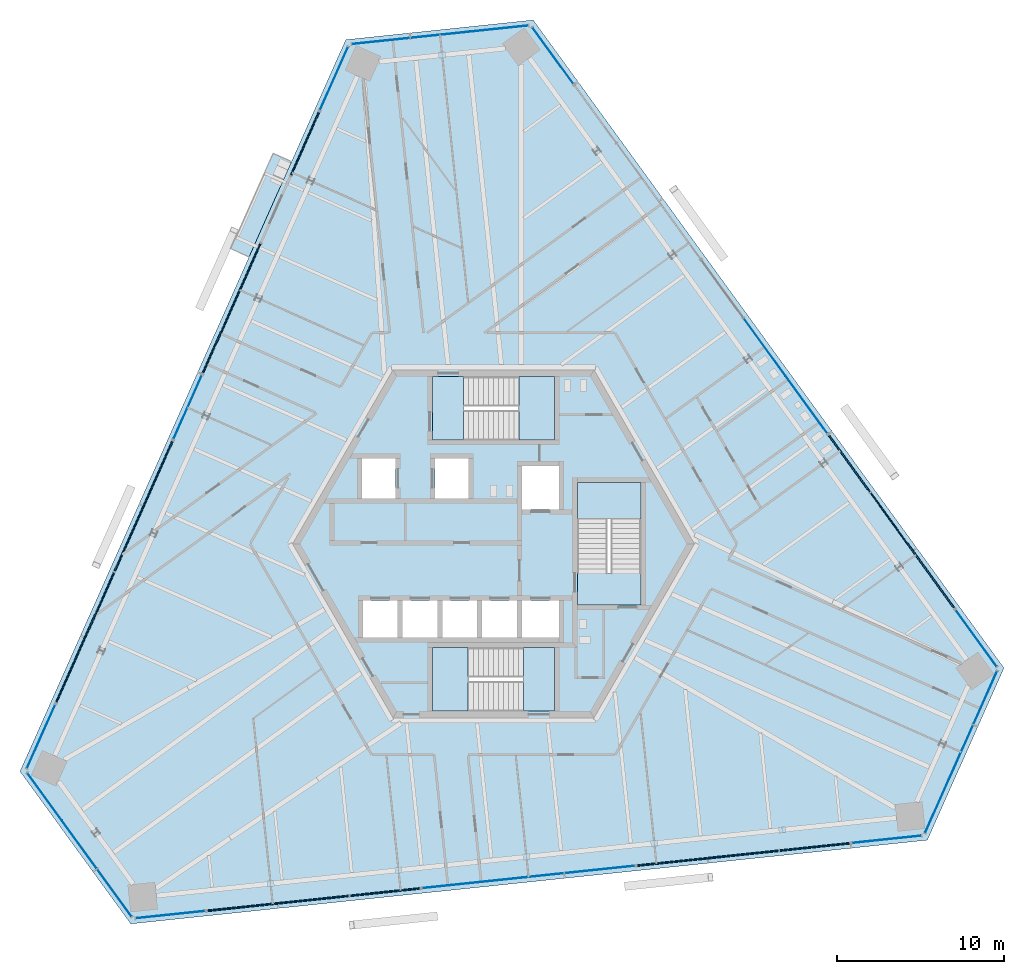
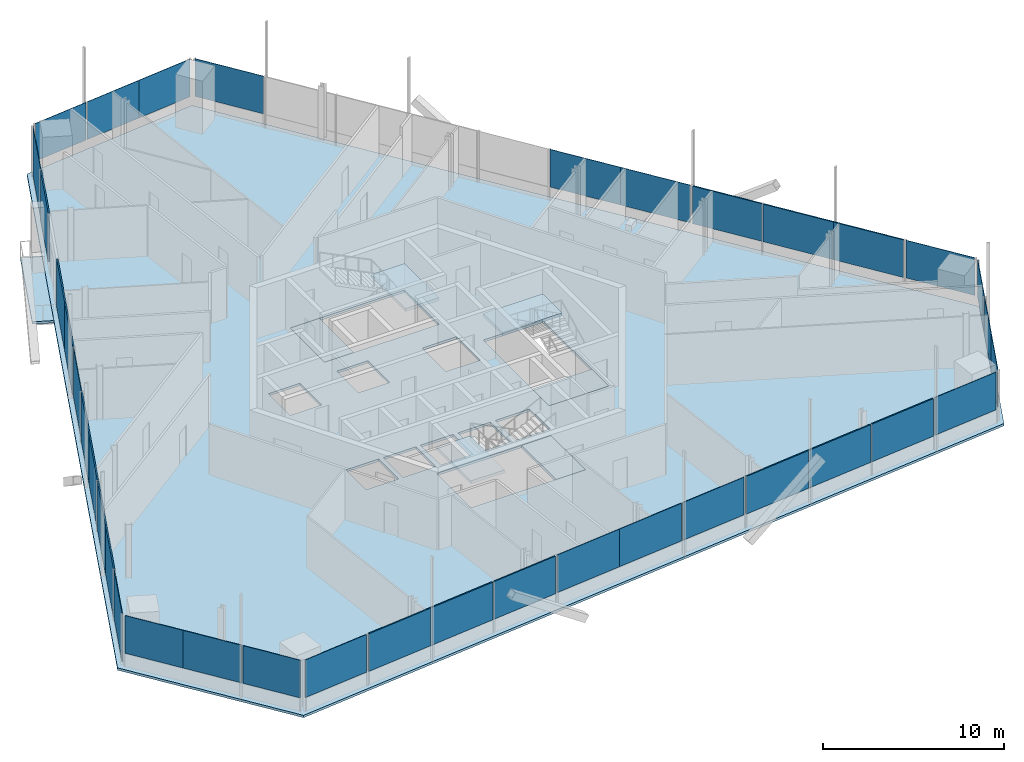
# One storey, part 10 of 21: 37 plates, 8 slabs, 21 elements without a shape of their own.
"""IFC4 building model written with IfcOpenShell, lengths in metres."""

from ifc_helpers import new_model, si_unit, direction, frame, origin, origin_2d, place, context, subcontext, project, spatial, polyline, rectangle, outline, extrude, source, transform, mapped, material, layer, layer_set, type_object, element, aggregate, save


model = new_model("IFC4")

# Units and contexts
model_context = context("Model", 3, precision=1e-05, world=origin(), true_north=direction((0.0, 1.0)))
body_context = subcontext(model_context, "Body", "Model", "MODEL_VIEW")
ifc_project = project(units=[si_unit("LENGTHUNIT", "METRE"), si_unit("AREAUNIT", "SQUARE_METRE"), si_unit("VOLUMEUNIT", "CUBIC_METRE"), si_unit("PLANEANGLEUNIT", "RADIAN"), si_unit("MASSUNIT", "GRAM", prefix="KILO")], contexts=[model_context])

# Site, building, storey
site_placement = place(None, origin())
site = spatial("IfcSite", under=ifc_project, at=site_placement, CompositionType="ELEMENT")
building_placement = place(site_placement, origin())
building = spatial("IfcBuilding", under=site, at=building_placement, Name="Triune Harvest Tower", CompositionType="ELEMENT")
storey_placement = place(building_placement, frame((0.0, 0.0, 241.300048828125)))
storey = spatial("IfcBuildingStorey", under=building, at=storey_placement, Name="L63", CompositionType="ELEMENT", Elevation=241.300048828125)

# Slab
ifc_material_1 = material(Name="Concrete 40 MPa", Category="concrete")
ifc_layer_1 = layer(ifc_material_1, 0.159912109375)
ifc_layer_set_1 = layer_set([ifc_layer_1], Name="Concrete 40 MPa")
slab_type_1 = type_object("IfcSlabType", Name="BA-1 balcony slab 160", PredefinedType="FLOOR", material=ifc_layer_set_1)
slab_1_placement = place(storey_placement, frame((0.0, 0.0, -0.16015625)))
element("IfcSlab", 1, at=slab_1_placement, inside=storey, type_object=slab_type_1, Name="Balcony slab B6-F3 L63.3", PredefinedType="FLOOR", context=body_context, shape_type="SweptSolid", body=[
    extrude(outline(polyline([(-12.06103515625, 22.828369140625), (-14.593994140625, 17.1396484375), (-15.69287109375, 17.62890625), (-13.159912109375, 23.317626953125), (-12.06103515625, 22.828369140625)])), origin(), (0.0, 0.0, 1.0), 0.16015625),
])

# Curtain wall, plate
ifc_material_2 = material(Name="Aluminium bronze anodised", Category="aluminium")
curtain_wall_type_1 = type_object("IfcCurtainWallType", Name="CW-6 Balcony window wall", PredefinedType="NOTDEFINED", material=ifc_material_2)
curtain_wall_1_placement = place(storey_placement, origin())
curtain_wall_1 = element("IfcCurtainWall", 2, at=curtain_wall_1_placement, inside=storey, type_object=curtain_wall_type_1, Name="CW-6 B6-F3 L63 run 1")
ifc_material_3 = material(Name="Glass", Category="glass")
ifc_layer_2 = layer(ifc_material_3, 0.030029296875)
ifc_layer_set_2 = layer_set([ifc_layer_2], Name="Glass")
plate_type_1 = type_object("IfcPlateType", Name="GL-6 panel 30", PredefinedType="CURTAIN_PANEL", material=ifc_layer_set_2)
plate_1_placement = place(storey_placement, frame((-9.5234375, 27.79052734375, 0.14990234375), z_axis=(0.0, 0.0, 1.0), x_axis=(-0.40673179987, -0.913547613961, 0.0)))
plate_1 = element("IfcPlate", 3, at=plate_1_placement, type_object=plate_type_1, Name="CW-6 panel B6-F3 1.1", PredefinedType="CURTAIN_PANEL", context=body_context, shape_type="SweptSolid", body=[
    extrude(rectangle(XDim=4.121337890625, YDim=0.030029296875, at=origin_2d()), origin(), (0.0, 0.0, 1.0), 3.2900390625),
])
aggregate(curtain_wall_1, [plate_1])

curtain_wall_2_placement = place(storey_placement, origin())
curtain_wall_2 = element("IfcCurtainWall", 4, at=curtain_wall_2_placement, inside=storey, type_object=curtain_wall_type_1, Name="CW-6 B6-F3 L63 run 1002")
plate_2_placement = place(storey_placement, frame((-18.2626953125, 8.161865234375, 0.14990234375), z_axis=(0.0, 0.0, 1.0), x_axis=(-0.406748294364, -0.913540270066, 0.0)))
plate_2 = element("IfcPlate", 5, at=plate_2_placement, type_object=plate_type_1, Name="CW-6 panel B6-F3 1002.1", PredefinedType="CURTAIN_PANEL", context=body_context, shape_type="SweptSolid", body=[
    extrude(rectangle(XDim=4.155029296875, YDim=0.030029296875, at=origin_2d()), origin(), (0.0, 0.0, 1.0), 3.2900390625),
])
aggregate(curtain_wall_2, [plate_2])

curtain_wall_3_placement = place(storey_placement, origin())
curtain_wall_3 = element("IfcCurtainWall", 6, at=curtain_wall_3_placement, inside=storey, type_object=curtain_wall_type_1, Name="CW-6 B6-F3 L63 run 3002")
plate_3_placement = place(storey_placement, frame((-27.01806640625, -11.502685546875, 0.14990234375), z_axis=(0.0, 0.0, 1.0), x_axis=(-0.406740063748, -0.913543934654, 0.0)))
plate_3 = element("IfcPlate", 7, at=plate_3_placement, type_object=plate_type_1, Name="CW-6 panel B6-F3 3002.1", PredefinedType="CURTAIN_PANEL", context=body_context, shape_type="SweptSolid", body=[
    extrude(rectangle(XDim=4.1552734375, YDim=0.030029296875, at=origin_2d()), origin(), (0.0, 0.0, 1.0), 3.2900390625),
])
aggregate(curtain_wall_3, [plate_3])

ifc_material_4 = material(Name="Aluminium bronze anodised", Category="aluminium")
curtain_wall_type_2 = type_object("IfcCurtainWallType", Name="CW-10 Balcony window wall with insulated spandrel infill", PredefinedType="NOTDEFINED", material=ifc_material_4)
curtain_wall_4_placement = place(storey_placement, origin())
curtain_wall_4 = element("IfcCurtainWall", 8, at=curtain_wall_4_placement, inside=storey, type_object=curtain_wall_type_2, Name="CW-10 B6-F3 L63 run 1001")
ifc_material_5 = material(Name="Insulated spandrel panel, bronze aluminium pan", Category="aluminium")
ifc_layer_3 = layer(ifc_material_5, 0.080078125)
ifc_layer_set_3 = layer_set([ifc_layer_3], Name="Insulated spandrel panel, bronze aluminium pan")
plate_type_2 = type_object("IfcPlateType", Name="SP-1 insulated spandrel panel 80", PredefinedType="CURTAIN_PANEL", material=ifc_layer_set_3)
plate_4_placement = place(storey_placement, frame((-11.2607421875, 23.888427734375, 0.14990234375), z_axis=(0.0, 0.0, 1.0), x_axis=(-0.406744024511, -0.91354217118, 0.0)))
plate_4 = element("IfcPlate", 9, at=plate_4_placement, type_object=plate_type_2, Name="CW-10 panel B6-F3 1001.1", PredefinedType="CURTAIN_PANEL", context=body_context, shape_type="SweptSolid", body=[
    extrude(rectangle(XDim=4.121337890625, YDim=0.080078125, at=origin_2d()), origin(), (0.0, 0.0, 1.0), 3.2900390625),
])
aggregate(curtain_wall_4, [plate_4])

# Slab
ifc_material_6 = material(Name="Concrete 40 MPa", Category="concrete")
ifc_layer_4 = layer(ifc_material_6, 0.159912109375)
ifc_layer_set_4 = layer_set([ifc_layer_4], Name="Concrete 40 MPa")
slab_type_2 = type_object("IfcSlabType", Name="SL-1 Composite floor slab 160", PredefinedType="FLOOR", material=ifc_layer_set_4)
shared_shape_1 = source(origin(), body_context, "Body", "SweptSolid", [
    extrude(outline(polyline([(30.481689453125, -7.412109375), (2.3701171875, 31.280517578125), (-8.82177734375, 30.10400390625), (-28.274658203125, -13.587646484375), (-21.659912109375, -22.69189453125), (25.904541015625, -17.692626953125), (30.481689453125, -7.412109375)]), holes=[polyline([(-5.72509765625, -5.590087890625), (-5.72509765625, -3.389892578125), (-7.800048828125, -3.389892578125), (-7.800048828125, -5.590087890625), (-5.72509765625, -5.590087890625)]), polyline([(-3.35009765625, -5.590087890625), (-3.35009765625, -3.389892578125), (-5.425048828125, -3.389892578125), (-5.425048828125, -5.590087890625), (-3.35009765625, -5.590087890625)]), polyline([(-0.97509765625, -5.590087890625), (-0.97509765625, -3.389892578125), (-3.050048828125, -3.389892578125), (-3.050048828125, -5.590087890625), (-0.97509765625, -5.590087890625)]), polyline([(1.39990234375, -5.590087890625), (1.39990234375, -3.389892578125), (-0.675048828125, -3.389892578125), (-0.675048828125, -5.590087890625), (1.39990234375, -5.590087890625)]), polyline([(3.89990234375, 2.06005859375), (3.89990234375, 4.659912109375), (1.699951171875, 4.659912109375), (1.699951171875, 2.06005859375), (3.89990234375, 2.06005859375)]), polyline([(3.89990234375, -5.590087890625), (3.89990234375, -3.389892578125), (1.699951171875, -3.389892578125), (1.699951171875, -5.590087890625), (3.89990234375, -5.590087890625)]), polyline([(-5.85009765625, 2.7099609375), (-5.85009765625, 5.110107421875), (-7.85009765625, 5.110107421875), (-7.85009765625, 2.7099609375), (-5.85009765625, 2.7099609375)]), polyline([(-1.5, 2.7099609375), (-1.5, 5.110107421875), (-3.5, 5.110107421875), (-3.5, 2.7099609375), (-1.5, 2.7099609375)]), polyline([(3.64990234375, 6.18994140625), (3.64990234375, 9.989990234375), (-3.64990234375, 9.989990234375), (-3.64990234375, 6.18994140625), (3.64990234375, 6.18994140625)]), polyline([(3.64990234375, -9.989990234375), (3.64990234375, -6.18994140625), (-3.64990234375, -6.18994140625), (-3.64990234375, -9.989990234375), (3.64990234375, -9.989990234375)]), polyline([(8.800048828125, -3.64990234375), (8.800048828125, 3.64990234375), (5.0, 3.64990234375), (5.0, -3.64990234375), (8.800048828125, -3.64990234375)])]), origin(), (0.0, 0.0, 1.0), 0.16015625),
])
slab_2_placement = place(storey_placement, frame((0.0, 0.0, -0.16015625)))
element("IfcSlab", 10, at=slab_2_placement, inside=storey, type_object=slab_type_2, Name="slab/L63/1", PredefinedType="FLOOR", context=body_context, shape_type="MappedRepresentation", body=[
    mapped(shared_shape_1, transform((0.0, 0.0, 0.0), scale=1.0)),
])

# Stair, slabs
ifc_material_7 = material(Name="Concrete 40 MPa", Category="concrete")
stair_type = type_object("IfcStairType", Name="Exit stair 1800 half turn", PredefinedType="HALF_TURN_STAIR", material=ifc_material_7)
stair_1_placement = place(storey_placement, origin())
stair_1 = element("IfcStair", 11, at=stair_1_placement, inside=storey, type_object=stair_type, Name="Exit stair north", PredefinedType="HALF_TURN_STAIR")
ifc_material_8 = material(Name="Concrete 40 MPa", Category="concrete")
ifc_layer_5 = layer(ifc_material_8, 0.199951171875)
ifc_layer_set_5 = layer_set([ifc_layer_5], Name="Concrete 40 MPa")
slab_type_3 = type_object("IfcSlabType", Name="Stair landing 200", PredefinedType="LANDING", material=ifc_layer_set_5)
shared_shape_2 = source(origin(), body_context, "Body", "SweptSolid", [
    extrude(outline(polyline([(-3.64990234375, 6.18994140625), (-1.780029296875, 6.18994140625), (-1.780029296875, 9.989990234375), (-3.64990234375, 9.989990234375), (-3.64990234375, 6.18994140625)])), origin(), (0.0, 0.0, 1.0), 0.199951171875),
])
slab_3_placement = place(storey_placement, frame((0.0, 0.0, -0.199951171875)))
slab_3 = element("IfcSlab", 12, at=slab_3_placement, type_object=slab_type_3, Name="ST-1 landing 1", PredefinedType="LANDING", context=body_context, shape_type="MappedRepresentation", body=[
    mapped(shared_shape_2, transform((0.0, 0.0, 0.0), scale=1.0)),
])
shared_shape_3 = source(origin(), body_context, "Body", "SweptSolid", [
    extrude(outline(polyline([(1.510009765625, 6.18994140625), (3.64990234375, 6.18994140625), (3.64990234375, 9.989990234375), (1.510009765625, 9.989990234375), (1.510009765625, 6.18994140625)])), origin(), (0.0, 0.0, 1.0), 0.2001953125),
])
slab_4_placement = place(storey_placement, frame((0.0, 0.0, 1.599853515625)))
slab_4 = element("IfcSlab", 13, at=slab_4_placement, type_object=slab_type_3, Name="ST-1 landing 2", PredefinedType="LANDING", context=body_context, shape_type="MappedRepresentation", body=[
    mapped(shared_shape_3, transform((0.0, 0.0, 0.0), scale=1.0)),
])
aggregate(stair_1, [slab_3, slab_4])

stair_2_placement = place(storey_placement, origin())
stair_2 = element("IfcStair", 14, at=stair_2_placement, inside=storey, type_object=stair_type, Name="Exit stair south", PredefinedType="HALF_TURN_STAIR")
shared_shape_4 = source(origin(), body_context, "Body", "SweptSolid", [
    extrude(outline(polyline([(3.64990234375, -6.18994140625), (1.780029296875, -6.18994140625), (1.780029296875, -9.989990234375), (3.64990234375, -9.989990234375), (3.64990234375, -6.18994140625)])), origin(), (0.0, 0.0, 1.0), 0.199951171875),
])
slab_5_placement = place(storey_placement, frame((0.0, 0.0, -0.199951171875)))
slab_5 = element("IfcSlab", 15, at=slab_5_placement, type_object=slab_type_3, Name="ST-2 landing 1", PredefinedType="LANDING", context=body_context, shape_type="MappedRepresentation", body=[
    mapped(shared_shape_4, transform((0.0, 0.0, 0.0), scale=1.0)),
])
shared_shape_5 = source(origin(), body_context, "Body", "SweptSolid", [
    extrude(outline(polyline([(-1.510009765625, -6.18994140625), (-3.64990234375, -6.18994140625), (-3.64990234375, -9.989990234375), (-1.510009765625, -9.989990234375), (-1.510009765625, -6.18994140625)])), origin(), (0.0, 0.0, 1.0), 0.2001953125),
])
slab_6_placement = place(storey_placement, frame((0.0, 0.0, 1.599853515625)))
slab_6 = element("IfcSlab", 16, at=slab_6_placement, type_object=slab_type_3, Name="ST-2 landing 2", PredefinedType="LANDING", context=body_context, shape_type="MappedRepresentation", body=[
    mapped(shared_shape_5, transform((0.0, 0.0, 0.0), scale=1.0)),
])
aggregate(stair_2, [slab_5, slab_6])

stair_3_placement = place(storey_placement, origin())
stair_3 = element("IfcStair", 17, at=stair_3_placement, inside=storey, type_object=stair_type, Name="Exit stair east", PredefinedType="HALF_TURN_STAIR")
shared_shape_6 = source(origin(), body_context, "Body", "SweptSolid", [
    extrude(outline(polyline([(8.800048828125, -3.64990234375), (8.800048828125, -1.780029296875), (5.0, -1.780029296875), (5.0, -3.64990234375), (8.800048828125, -3.64990234375)])), origin(), (0.0, 0.0, 1.0), 0.199951171875),
])
slab_7_placement = place(storey_placement, frame((0.0, 0.0, -0.199951171875)))
slab_7 = element("IfcSlab", 18, at=slab_7_placement, type_object=slab_type_3, Name="ST-3 landing 1", PredefinedType="LANDING", context=body_context, shape_type="MappedRepresentation", body=[
    mapped(shared_shape_6, transform((0.0, 0.0, 0.0), scale=1.0)),
])
shared_shape_7 = source(origin(), body_context, "Body", "SweptSolid", [
    extrude(outline(polyline([(8.800048828125, 1.510009765625), (8.800048828125, 3.64990234375), (5.0, 3.64990234375), (5.0, 1.510009765625), (8.800048828125, 1.510009765625)])), origin(), (0.0, 0.0, 1.0), 0.2001953125),
])
slab_8_placement = place(storey_placement, frame((0.0, 0.0, 1.599853515625)))
slab_8 = element("IfcSlab", 19, at=slab_8_placement, type_object=slab_type_3, Name="ST-3 landing 2", PredefinedType="LANDING", context=body_context, shape_type="MappedRepresentation", body=[
    mapped(shared_shape_7, transform((0.0, 0.0, 0.0), scale=1.0)),
])
aggregate(stair_3, [slab_7, slab_8])

# Curtain wall, plate
ifc_material_9 = material(Name="Aluminium bronze anodised", Category="aluminium")
curtain_wall_type_3 = type_object("IfcCurtainWallType", Name="CW-1 Tower stick curtain wall", PredefinedType="NOTDEFINED", material=ifc_material_9)
curtain_wall_5_placement = place(storey_placement, origin())
curtain_wall_5 = element("IfcCurtainWall", 20, at=curtain_wall_5_placement, inside=storey, type_object=curtain_wall_type_3, Name="CW-1 B6-F2 L63 run 1")
ifc_material_10 = material(Name="Glass", Category="glass")
ifc_layer_6 = layer(ifc_material_10, 0.031982421875)
ifc_layer_set_6 = layer_set([ifc_layer_6], Name="Glass")
plate_type_3 = type_object("IfcPlateType", Name="GL-1 panel 32", PredefinedType="CURTAIN_PANEL", material=ifc_layer_set_6)
shared_shape_8 = source(origin(), body_context, "Body", "SweptSolid", [
    extrude(rectangle(XDim=3.500732421875, YDim=0.031982421875, at=origin_2d()), origin(), (0.0, 0.0, 1.0), 2.5400390625),
])
plate_5_placement = place(storey_placement, frame((0.32421875, 30.763671875, 0.89990234375), z_axis=(0.0, 0.0, 1.0), x_axis=(-0.994521768229, -0.104529672907, 0.0)))
plate_5 = element("IfcPlate", 21, at=plate_5_placement, type_object=plate_type_3, Name="CW-1 panel B6-F2 1.1", PredefinedType="CURTAIN_PANEL", context=body_context, shape_type="MappedRepresentation", body=[
    mapped(shared_shape_8, transform((0.0, 0.0, 0.0), scale=1.0)),
])

curtain_wall_6_placement = place(storey_placement, origin())
curtain_wall_6 = element("IfcCurtainWall", 22, at=curtain_wall_6_placement, inside=storey, type_object=curtain_wall_type_3, Name="CW-1 B6-F4 L63 run 1")
plate_6_placement = place(storey_placement, frame((-26.80419921875, -15.10107421875, 0.89990234375), z_axis=(0.0, 0.0, 1.0), x_axis=(0.587788936013, -0.809014317982, 0.0)))
plate_6 = element("IfcPlate", 23, at=plate_6_placement, type_object=plate_type_3, Name="CW-1 panel B6-F4 1.1", PredefinedType="CURTAIN_PANEL", context=body_context, shape_type="MappedRepresentation", body=[
    mapped(shared_shape_8, transform((0.0, 0.0, 0.0), scale=1.0)),
])

curtain_wall_7_placement = place(storey_placement, origin())
curtain_wall_7 = element("IfcCurtainWall", 24, at=curtain_wall_7_placement, inside=storey, type_object=curtain_wall_type_3, Name="CW-1 B6-F6 L63 run 1")
plate_7_placement = place(storey_placement, frame((26.47998046875, -15.66259765625, 0.89990234375), z_axis=(0.0, 0.0, 1.0), x_axis=(0.406743216086, 0.913542531121, 0.0)))
plate_7 = element("IfcPlate", 25, at=plate_7_placement, type_object=plate_type_3, Name="CW-1 panel B6-F6 1.1", PredefinedType="CURTAIN_PANEL", context=body_context, shape_type="MappedRepresentation", body=[
    mapped(shared_shape_8, transform((0.0, 0.0, 0.0), scale=1.0)),
])

# Plate
shared_shape_9 = source(origin(), body_context, "Body", "SweptSolid", [
    extrude(rectangle(XDim=3.5380859375, YDim=0.031982421875, at=origin_2d()), origin(), (0.0, 0.0, 1.0), 2.5400390625),
])
plate_8_placement = place(storey_placement, frame((-3.17578125, 30.395751953125, 0.89990234375), z_axis=(0.0, 0.0, 1.0), x_axis=(-0.994521768229, -0.104529672907, 0.0)))
plate_8 = element("IfcPlate", 26, at=plate_8_placement, type_object=plate_type_3, Name="CW-1 panel B6-F2 1.2", PredefinedType="CURTAIN_PANEL", context=body_context, shape_type="MappedRepresentation", body=[
    mapped(shared_shape_9, transform((0.0, 0.0, 0.0), scale=1.0)),
])

plate_9_placement = place(storey_placement, frame((-24.735595703125, -17.9482421875, 0.89990234375), z_axis=(0.0, 0.0, 1.0), x_axis=(0.587788936013, -0.809014317982, 0.0)))
plate_9 = element("IfcPlate", 27, at=plate_9_placement, type_object=plate_type_3, Name="CW-1 panel B6-F4 1.2", PredefinedType="CURTAIN_PANEL", context=body_context, shape_type="MappedRepresentation", body=[
    mapped(shared_shape_9, transform((0.0, 0.0, 0.0), scale=1.0)),
])

plate_10_placement = place(storey_placement, frame((27.91162109375, -12.447509765625, 0.89990234375), z_axis=(0.0, 0.0, 1.0), x_axis=(0.406743216086, 0.913542531121, 0.0)))
plate_10 = element("IfcPlate", 28, at=plate_10_placement, type_object=plate_type_3, Name="CW-1 panel B6-F6 1.2", PredefinedType="CURTAIN_PANEL", context=body_context, shape_type="MappedRepresentation", body=[
    mapped(shared_shape_9, transform((0.0, 0.0, 0.0), scale=1.0)),
])

shared_shape_10 = source(origin(), body_context, "Body", "SweptSolid", [
    extrude(rectangle(XDim=3.463134765625, YDim=0.031982421875, at=origin_2d()), origin(), (0.0, 0.0, 1.0), 2.5400390625),
])
plate_11_placement = place(storey_placement, frame((-6.73193359375, 30.02197265625, 0.89990234375), z_axis=(0.0, 0.0, 1.0), x_axis=(-0.994521768229, -0.104529672907, 0.0)))
plate_11 = element("IfcPlate", 29, at=plate_11_placement, type_object=plate_type_3, Name="CW-1 panel B6-F2 1.3", PredefinedType="CURTAIN_PANEL", context=body_context, shape_type="MappedRepresentation", body=[
    mapped(shared_shape_10, transform((0.0, 0.0, 0.0), scale=1.0)),
])

aggregate(curtain_wall_5, [plate_5, plate_8, plate_11])

plate_12_placement = place(storey_placement, frame((-22.6337890625, -20.841064453125, 0.89990234375), z_axis=(0.0, 0.0, 1.0), x_axis=(0.587788936013, -0.809014317982, 0.0)))
plate_12 = element("IfcPlate", 30, at=plate_12_placement, type_object=plate_type_3, Name="CW-1 panel B6-F4 1.3", PredefinedType="CURTAIN_PANEL", context=body_context, shape_type="MappedRepresentation", body=[
    mapped(shared_shape_10, transform((0.0, 0.0, 0.0), scale=1.0)),
])

aggregate(curtain_wall_6, [plate_6, plate_9, plate_12])

plate_13_placement = place(storey_placement, frame((29.365966796875, -9.180908203125, 0.89990234375), z_axis=(0.0, 0.0, 1.0), x_axis=(0.406743216086, 0.913542531121, 0.0)))
plate_13 = element("IfcPlate", 31, at=plate_13_placement, type_object=plate_type_3, Name="CW-1 panel B6-F6 1.3", PredefinedType="CURTAIN_PANEL", context=body_context, shape_type="MappedRepresentation", body=[
    mapped(shared_shape_10, transform((0.0, 0.0, 0.0), scale=1.0)),
])

aggregate(curtain_wall_7, [plate_7, plate_10, plate_13])

# Curtain wall, plate
ifc_material_11 = material(Name="Aluminium bronze anodised", Category="aluminium")
curtain_wall_type_4 = type_object("IfcCurtainWallType", Name="CW-7 Tower stick curtain wall with insulated spandrel infill", PredefinedType="NOTDEFINED", material=ifc_material_11)
curtain_wall_8_placement = place(storey_placement, origin())
curtain_wall_8 = element("IfcCurtainWall", 32, at=curtain_wall_8_placement, inside=storey, type_object=curtain_wall_type_4, Name="CW-7 B6-F1 L63 run 1001")
shared_shape_11 = source(origin(), body_context, "Body", "SweptSolid", [
    extrude(rectangle(XDim=4.22509765625, YDim=0.080078125, at=origin_2d()), origin(), (0.0, 0.0, 1.0), 2.5400390625),
])
plate_14_placement = place(storey_placement, frame((26.27099609375, -2.126953125, 0.89990234375), z_axis=(0.0, 0.0, 1.0), x_axis=(-0.587785838852, 0.809016568214, 0.0)))
plate_14 = element("IfcPlate", 33, at=plate_14_placement, type_object=plate_type_2, Name="CW-7 panel B6-F1 1001.1", PredefinedType="CURTAIN_PANEL", context=body_context, shape_type="MappedRepresentation", body=[
    mapped(shared_shape_11, transform((0.0, 0.0, 0.0), scale=1.0)),
])

curtain_wall_9_placement = place(storey_placement, origin())
curtain_wall_9 = element("IfcCurtainWall", 34, at=curtain_wall_9_placement, inside=storey, type_object=curtain_wall_type_4, Name="CW-7 B6-F5 L63 run 1001")
plate_15_placement = place(storey_placement, frame((-14.9775390625, -21.687744140625, 0.89990234375), z_axis=(0.0, 0.0, 1.0), x_axis=(0.994522090995, 0.104526601986, 0.0)))
plate_15 = element("IfcPlate", 35, at=plate_15_placement, type_object=plate_type_2, Name="CW-7 panel B6-F5 1001.1", PredefinedType="CURTAIN_PANEL", context=body_context, shape_type="MappedRepresentation", body=[
    mapped(shared_shape_11, transform((0.0, 0.0, 0.0), scale=1.0)),
])

curtain_wall_10_placement = place(storey_placement, origin())
curtain_wall_10 = element("IfcCurtainWall", 36, at=curtain_wall_10_placement, inside=storey, type_object=curtain_wall_type_4, Name="CW-7 B6-F5 L63 run 3001")
plate_16_placement = place(storey_placement, frame((10.68115234375, -18.990966796875, 0.89990234375), z_axis=(0.0, 0.0, 1.0), x_axis=(0.994522090995, 0.104526601986, 0.0)))
plate_16 = element("IfcPlate", 37, at=plate_16_placement, type_object=plate_type_2, Name="CW-7 panel B6-F5 3001.1", PredefinedType="CURTAIN_PANEL", context=body_context, shape_type="MappedRepresentation", body=[
    mapped(shared_shape_11, transform((0.0, 0.0, 0.0), scale=1.0)),
])

# Plate
shared_shape_12 = source(origin(), body_context, "Body", "SweptSolid", [
    extrude(rectangle(XDim=4.262451171875, YDim=0.080078125, at=origin_2d()), origin(), (0.0, 0.0, 1.0), 2.5400390625),
])
plate_17_placement = place(storey_placement, frame((23.776611328125, 1.30615234375, 0.89990234375), z_axis=(0.0, 0.0, 1.0), x_axis=(-0.587785838852, 0.809016568214, 0.0)))
plate_17 = element("IfcPlate", 38, at=plate_17_placement, type_object=plate_type_2, Name="CW-7 panel B6-F1 1001.2", PredefinedType="CURTAIN_PANEL", context=body_context, shape_type="MappedRepresentation", body=[
    mapped(shared_shape_12, transform((0.0, 0.0, 0.0), scale=1.0)),
])

plate_18_placement = place(storey_placement, frame((-10.757080078125, -21.244140625, 0.89990234375), z_axis=(0.0, 0.0, 1.0), x_axis=(0.994522090995, 0.104526601986, 0.0)))
plate_18 = element("IfcPlate", 39, at=plate_18_placement, type_object=plate_type_2, Name="CW-7 panel B6-F5 1001.2", PredefinedType="CURTAIN_PANEL", context=body_context, shape_type="MappedRepresentation", body=[
    mapped(shared_shape_12, transform((0.0, 0.0, 0.0), scale=1.0)),
])

plate_19_placement = place(storey_placement, frame((14.901611328125, -18.54736328125, 0.89990234375), z_axis=(0.0, 0.0, 1.0), x_axis=(0.994522090995, 0.104526601986, 0.0)))
plate_19 = element("IfcPlate", 40, at=plate_19_placement, type_object=plate_type_2, Name="CW-7 panel B6-F5 3001.2", PredefinedType="CURTAIN_PANEL", context=body_context, shape_type="MappedRepresentation", body=[
    mapped(shared_shape_12, transform((0.0, 0.0, 0.0), scale=1.0)),
])

# Curtain wall, plate
curtain_wall_11_placement = place(storey_placement, origin())
curtain_wall_11 = element("IfcCurtainWall", 41, at=curtain_wall_11_placement, inside=storey, type_object=curtain_wall_type_3, Name="CW-1 B6-F1 L63 run 2001")
shared_shape_13 = source(origin(), body_context, "Body", "SweptSolid", [
    extrude(rectangle(XDim=4.22509765625, YDim=0.031982421875, at=origin_2d()), origin(), (0.0, 0.0, 1.0), 2.5400390625),
])
plate_20_placement = place(storey_placement, frame((18.688720703125, 8.309326171875, 0.89990234375), z_axis=(0.0, 0.0, 1.0), x_axis=(-0.587784451405, 0.809017576253, 0.0)))
plate_20 = element("IfcPlate", 42, at=plate_20_placement, type_object=plate_type_3, Name="CW-1 panel B6-F1 2001.1", PredefinedType="CURTAIN_PANEL", context=body_context, shape_type="MappedRepresentation", body=[
    mapped(shared_shape_13, transform((0.0, 0.0, 0.0), scale=1.0)),
])

curtain_wall_12_placement = place(storey_placement, origin())
curtain_wall_12 = element("IfcCurtainWall", 43, at=curtain_wall_12_placement, inside=storey, type_object=curtain_wall_type_3, Name="CW-1 B6-F5 L63 run 2001")
plate_21_placement = place(storey_placement, frame((-2.148193359375, -20.33935546875, 0.89990234375), z_axis=(0.0, 0.0, 1.0), x_axis=(0.994521200416, 0.104535075084, 0.0)))
plate_21 = element("IfcPlate", 44, at=plate_21_placement, type_object=plate_type_3, Name="CW-1 panel B6-F5 2001.1", PredefinedType="CURTAIN_PANEL", context=body_context, shape_type="MappedRepresentation", body=[
    mapped(shared_shape_13, transform((0.0, 0.0, 0.0), scale=1.0)),
])

# Plate
shared_shape_14 = source(origin(), body_context, "Body", "SweptSolid", [
    extrude(rectangle(XDim=4.262451171875, YDim=0.031982421875, at=origin_2d()), origin(), (0.0, 0.0, 1.0), 2.5400390625),
])
plate_22_placement = place(storey_placement, frame((16.1943359375, 11.74267578125, 0.89990234375), z_axis=(0.0, 0.0, 1.0), x_axis=(-0.587784451405, 0.809017576253, 0.0)))
plate_22 = element("IfcPlate", 45, at=plate_22_placement, type_object=plate_type_3, Name="CW-1 panel B6-F1 2001.2", PredefinedType="CURTAIN_PANEL", context=body_context, shape_type="MappedRepresentation", body=[
    mapped(shared_shape_14, transform((0.0, 0.0, 0.0), scale=1.0)),
])

aggregate(curtain_wall_11, [plate_20, plate_22])

plate_23_placement = place(storey_placement, frame((2.072265625, -19.895751953125, 0.89990234375), z_axis=(0.0, 0.0, 1.0), x_axis=(0.994521200416, 0.104535075084, 0.0)))
plate_23 = element("IfcPlate", 46, at=plate_23_placement, type_object=plate_type_3, Name="CW-1 panel B6-F5 2001.2", PredefinedType="CURTAIN_PANEL", context=body_context, shape_type="MappedRepresentation", body=[
    mapped(shared_shape_14, transform((0.0, 0.0, 0.0), scale=1.0)),
])

shared_shape_15 = source(origin(), body_context, "Body", "SweptSolid", [
    extrude(rectangle(XDim=4.1875, YDim=0.031982421875, at=origin_2d()), origin(), (0.0, 0.0, 1.0), 2.5400390625),
])
plate_24_placement = place(storey_placement, frame((6.3486328125, -19.4462890625, 0.89990234375), z_axis=(0.0, 0.0, 1.0), x_axis=(0.994521200416, 0.104535075084, 0.0)))
plate_24 = element("IfcPlate", 47, at=plate_24_placement, type_object=plate_type_3, Name="CW-1 panel B6-F5 2001.3", PredefinedType="CURTAIN_PANEL", context=body_context, shape_type="MappedRepresentation", body=[
    mapped(shared_shape_15, transform((0.0, 0.0, 0.0), scale=1.0)),
])

aggregate(curtain_wall_12, [plate_21, plate_23, plate_24])

shared_shape_16 = source(origin(), body_context, "Body", "SweptSolid", [
    extrude(rectangle(XDim=4.1875, YDim=0.080078125, at=origin_2d()), origin(), (0.0, 0.0, 1.0), 2.5400390625),
])
plate_25_placement = place(storey_placement, frame((21.249267578125, 4.784912109375, 0.89990234375), z_axis=(0.0, 0.0, 1.0), x_axis=(-0.587785838852, 0.809016568214, 0.0)))
plate_25 = element("IfcPlate", 48, at=plate_25_placement, type_object=plate_type_2, Name="CW-7 panel B6-F1 1001.3", PredefinedType="CURTAIN_PANEL", context=body_context, shape_type="MappedRepresentation", body=[
    mapped(shared_shape_16, transform((0.0, 0.0, 0.0), scale=1.0)),
])

aggregate(curtain_wall_8, [plate_14, plate_17, plate_25])

plate_26_placement = place(storey_placement, frame((-6.48046875, -20.794677734375, 0.89990234375), z_axis=(0.0, 0.0, 1.0), x_axis=(0.994522090995, 0.104526601986, 0.0)))
plate_26 = element("IfcPlate", 49, at=plate_26_placement, type_object=plate_type_2, Name="CW-7 panel B6-F5 1001.3", PredefinedType="CURTAIN_PANEL", context=body_context, shape_type="MappedRepresentation", body=[
    mapped(shared_shape_16, transform((0.0, 0.0, 0.0), scale=1.0)),
])

aggregate(curtain_wall_9, [plate_15, plate_18, plate_26])

plate_27_placement = place(storey_placement, frame((19.17822265625, -18.097900390625, 0.89990234375), z_axis=(0.0, 0.0, 1.0), x_axis=(0.994522090995, 0.104526601986, 0.0)))
plate_27 = element("IfcPlate", 50, at=plate_27_placement, type_object=plate_type_2, Name="CW-7 panel B6-F5 3001.3", PredefinedType="CURTAIN_PANEL", context=body_context, shape_type="MappedRepresentation", body=[
    mapped(shared_shape_16, transform((0.0, 0.0, 0.0), scale=1.0)),
])

aggregate(curtain_wall_10, [plate_16, plate_19, plate_27])

# Curtain wall, plates
curtain_wall_13_placement = place(storey_placement, origin())
curtain_wall_13 = element("IfcCurtainWall", 51, at=curtain_wall_13_placement, inside=storey, type_object=curtain_wall_type_2, Name="CW-10 B6-F3 L63 run 2")
shared_shape_17 = source(origin(), body_context, "Body", "SweptSolid", [
    extrude(rectangle(XDim=4.230224609375, YDim=0.080078125, at=origin_2d()), origin(), (0.0, 0.0, 1.0), 3.2900390625),
])
plate_28_placement = place(storey_placement, frame((-14.77587890625, 15.993408203125, 0.14990234375), z_axis=(0.0, 0.0, 1.0), x_axis=(-0.406734582009, -0.913546375286, 0.0)))
plate_28 = element("IfcPlate", 52, at=plate_28_placement, type_object=plate_type_2, Name="CW-10 panel B6-F3 2.1", PredefinedType="CURTAIN_PANEL", context=body_context, shape_type="MappedRepresentation", body=[
    mapped(shared_shape_17, transform((0.0, 0.0, 0.0), scale=1.0)),
])
plate_29_placement = place(storey_placement, frame((-16.496337890625, 12.12890625, 0.14990234375), z_axis=(0.0, 0.0, 1.0), x_axis=(-0.406734582009, -0.913546375286, 0.0)))
plate_29 = element("IfcPlate", 53, at=plate_29_placement, type_object=plate_type_2, Name="CW-10 panel B6-F3 2.2", PredefinedType="CURTAIN_PANEL", context=body_context, shape_type="MappedRepresentation", body=[
    mapped(shared_shape_17, transform((0.0, 0.0, 0.0), scale=1.0)),
])
aggregate(curtain_wall_13, [plate_28, plate_29])

curtain_wall_14_placement = place(storey_placement, origin())
curtain_wall_14 = element("IfcCurtainWall", 54, at=curtain_wall_14_placement, inside=storey, type_object=curtain_wall_type_2, Name="CW-10 B6-F3 L63 run 2002")
plate_30_placement = place(storey_placement, frame((-20.029052734375, 4.194580078125, 0.14990234375), z_axis=(0.0, 0.0, 1.0), x_axis=(-0.406736443962, -0.913545546294, 0.0)))
plate_30 = element("IfcPlate", 55, at=plate_30_placement, type_object=plate_type_2, Name="CW-10 panel B6-F3 2002.1", PredefinedType="CURTAIN_PANEL", context=body_context, shape_type="MappedRepresentation", body=[
    mapped(shared_shape_17, transform((0.0, 0.0, 0.0), scale=1.0)),
])
plate_31_placement = place(storey_placement, frame((-25.251708984375, -7.53564453125, 0.14990234375), z_axis=(0.0, 0.0, 1.0), x_axis=(-0.406736443962, -0.913545546294, 0.0)))
plate_31 = element("IfcPlate", 56, at=plate_31_placement, type_object=plate_type_2, Name="CW-10 panel B6-F3 2002.4", PredefinedType="CURTAIN_PANEL", context=body_context, shape_type="MappedRepresentation", body=[
    mapped(shared_shape_17, transform((0.0, 0.0, 0.0), scale=1.0)),
])
shared_shape_18 = source(origin(), body_context, "Body", "SweptSolid", [
    extrude(rectangle(XDim=4.267578125, YDim=0.080078125, at=origin_2d()), origin(), (0.0, 0.0, 1.0), 3.2900390625),
])
plate_32_placement = place(storey_placement, frame((-21.757080078125, 0.313232421875, 0.14990234375), z_axis=(0.0, 0.0, 1.0), x_axis=(-0.406736443962, -0.913545546294, 0.0)))
plate_32 = element("IfcPlate", 57, at=plate_32_placement, type_object=plate_type_2, Name="CW-10 panel B6-F3 2002.2", PredefinedType="CURTAIN_PANEL", context=body_context, shape_type="MappedRepresentation", body=[
    mapped(shared_shape_18, transform((0.0, 0.0, 0.0), scale=1.0)),
])
plate_33_placement = place(storey_placement, frame((-23.5234375, -3.654052734375, 0.14990234375), z_axis=(0.0, 0.0, 1.0), x_axis=(-0.406736443962, -0.913545546294, 0.0)))
plate_33 = element("IfcPlate", 58, at=plate_33_placement, type_object=plate_type_2, Name="CW-10 panel B6-F3 2002.3", PredefinedType="CURTAIN_PANEL", context=body_context, shape_type="MappedRepresentation", body=[
    mapped(shared_shape_18, transform((0.0, 0.0, 0.0), scale=1.0)),
])
aggregate(curtain_wall_14, [plate_30, plate_32, plate_33, plate_31])

# Curtain wall, plate
curtain_wall_15_placement = place(storey_placement, origin())
curtain_wall_15 = element("IfcCurtainWall", 59, at=curtain_wall_15_placement, inside=storey, type_object=curtain_wall_type_3, Name="CW-1 B6-F1 L63 run 1")
shared_shape_19 = source(origin(), body_context, "Body", "SweptSolid", [
    extrude(rectangle(XDim=4.150146484375, YDim=0.031982421875, at=origin_2d()), origin(), (0.0, 0.0, 1.0), 2.5400390625),
])
plate_34_placement = place(storey_placement, frame((28.820556640625, -5.63623046875, 0.89990234375), z_axis=(0.0, 0.0, 1.0), x_axis=(-0.587787002678, 0.809015722642, 0.0)))
plate_34 = element("IfcPlate", 60, at=plate_34_placement, type_object=plate_type_3, Name="CW-1 panel B6-F1 1.1", PredefinedType="CURTAIN_PANEL", context=body_context, shape_type="MappedRepresentation", body=[
    mapped(shared_shape_19, transform((0.0, 0.0, 0.0), scale=1.0)),
])
aggregate(curtain_wall_15, [plate_34])

curtain_wall_16_placement = place(storey_placement, origin())
curtain_wall_16 = element("IfcCurtainWall", 61, at=curtain_wall_16_placement, inside=storey, type_object=curtain_wall_type_3, Name="CW-1 B6-F1 L63 run 4001")
plate_35_placement = place(storey_placement, frame((3.545654296875, 29.151611328125, 0.89990234375), z_axis=(0.0, 0.0, 1.0), x_axis=(-0.587787002678, 0.809015722642, 0.0)))
plate_35 = element("IfcPlate", 62, at=plate_35_placement, type_object=plate_type_3, Name="CW-1 panel B6-F1 4001.1", PredefinedType="CURTAIN_PANEL", context=body_context, shape_type="MappedRepresentation", body=[
    mapped(shared_shape_19, transform((0.0, 0.0, 0.0), scale=1.0)),
])
aggregate(curtain_wall_16, [plate_35])

curtain_wall_17_placement = place(storey_placement, origin())
curtain_wall_17 = element("IfcCurtainWall", 63, at=curtain_wall_17_placement, inside=storey, type_object=curtain_wall_type_3, Name="CW-1 B6-F5 L63 run 1")
plate_36_placement = place(storey_placement, frame((-19.291259765625, -22.141357421875, 0.89990234375), z_axis=(0.0, 0.0, 1.0), x_axis=(0.994521538028, 0.104531863081, 0.0)))
plate_36 = element("IfcPlate", 64, at=plate_36_placement, type_object=plate_type_3, Name="CW-1 panel B6-F5 1.1", PredefinedType="CURTAIN_PANEL", context=body_context, shape_type="MappedRepresentation", body=[
    mapped(shared_shape_19, transform((0.0, 0.0, 0.0), scale=1.0)),
])
aggregate(curtain_wall_17, [plate_36])

curtain_wall_18_placement = place(storey_placement, origin())
curtain_wall_18 = element("IfcCurtainWall", 65, at=curtain_wall_18_placement, inside=storey, type_object=curtain_wall_type_3, Name="CW-1 B6-F5 L63 run 4001")
plate_37_placement = place(storey_placement, frame((23.47314453125, -17.646484375, 0.89990234375), z_axis=(0.0, 0.0, 1.0), x_axis=(0.994521538028, 0.104531863081, 0.0)))
plate_37 = element("IfcPlate", 66, at=plate_37_placement, type_object=plate_type_3, Name="CW-1 panel B6-F5 4001.1", PredefinedType="CURTAIN_PANEL", context=body_context, shape_type="MappedRepresentation", body=[
    mapped(shared_shape_19, transform((0.0, 0.0, 0.0), scale=1.0)),
])
aggregate(curtain_wall_18, [plate_37])

save(model, "model.ifc")
